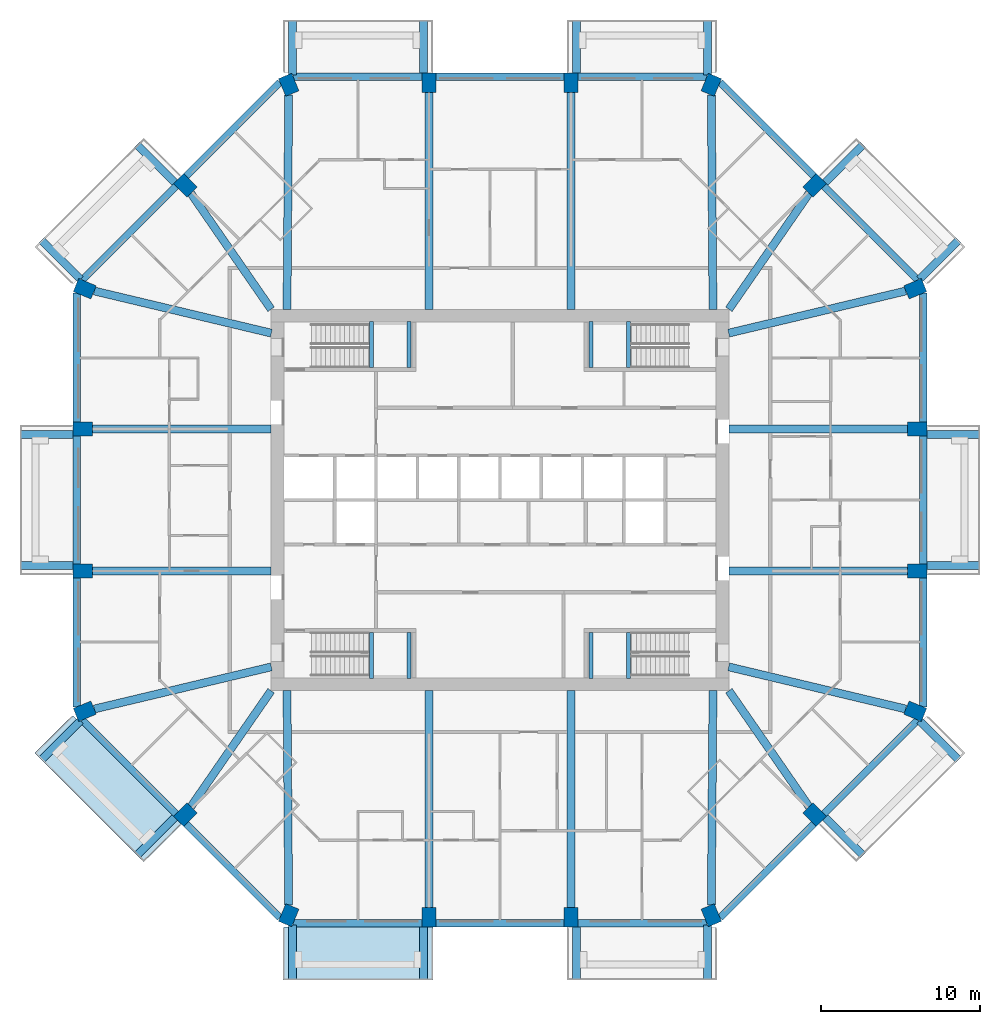
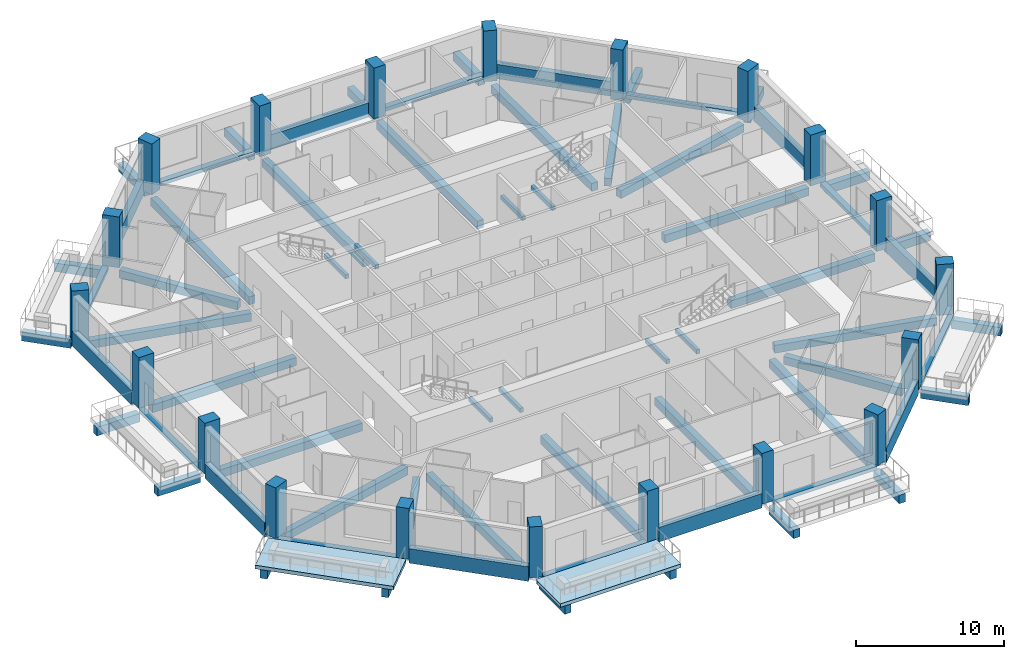
# One storey, part 1 of 13: 68 beams, 20 columns, 2 slabs.
"""IFC4 building model written with IfcOpenShell, lengths in metres."""

from ifc_helpers import new_model, si_unit, direction, frame, origin, origin_2d, place, context, subcontext, project, spatial, polyline, rectangle, outline, extrude, material, layer, layer_set, material_profile, profile_set, type_object, element, save


model = new_model("IFC4")

# Units and contexts
model_context = context("Model", 3, precision=1e-05, world=origin(), true_north=direction((0.0, 1.0)))
body_context = subcontext(model_context, "Body", "Model", "MODEL_VIEW")
ifc_project = project(units=[si_unit("LENGTHUNIT", "METRE"), si_unit("AREAUNIT", "SQUARE_METRE"), si_unit("VOLUMEUNIT", "CUBIC_METRE"), si_unit("PLANEANGLEUNIT", "RADIAN"), si_unit("MASSUNIT", "GRAM", prefix="KILO")], contexts=[model_context])

# Site, building, storey
site_placement = place(None, origin())
site = spatial("IfcSite", under=ifc_project, at=site_placement, CompositionType="ELEMENT")
building_placement = place(site_placement, origin())
building = spatial("IfcBuilding", under=site, at=building_placement, Name="Msitu Wima Residences", CompositionType="ELEMENT")
storey_placement = place(building_placement, frame((0.0, 0.0, 144.300048828125)))
storey = spatial("IfcBuildingStorey", under=building, at=storey_placement, Name="L33", CompositionType="ELEMENT", Elevation=144.300048828125)

# Columns
ifc_material_1 = material(Name="Concrete C70/85", Category="concrete")
ifc_material_profile_1 = material_profile(ifc_material_1, rectangle(XDim=0.89990234375, YDim=1.199951171875, at=origin_2d()), Name="RC 900x1200")
ifc_profile_set_1 = profile_set([ifc_material_profile_1], Name="Concrete C70/85")
column_type = type_object("IfcColumnType", Name="Column RC 900x1200 Concrete C70/85", PredefinedType="COLUMN", material=ifc_profile_set_1)
for number, where, z_axis, x_axis, name in (
    (1, (26.12353515625, -13.291259765625, 0.0), (0.0, 0.0, 1.0), (0.382683496864, 0.923879505795, 0.0), "Column L33 C-E0"),
    (2, (26.25, -4.46875, 0.0), (0.0, 0.0, 1.0), (0.0, 1.0, 0.0), "Column L33 C-E1"),
    (3, (26.25, 4.46875, 0.0), (0.0, 0.0, 1.0), (0.0, 1.0, 0.0), "Column L33 C-E2"),
    (4, (26.12353515625, 13.291259765625, 0.0), (0.0, 0.0, 1.0), (-0.382683496864, 0.923879505795, 0.0), "Column L33 C-NE0"),
    (5, (19.796875, 19.796875, 0.0), (0.0, 0.0, 1.0), (-0.707106781187, 0.707106781187, 0.0), "Column L33 C-NE1"),
    (6, (13.291259765625, 26.12353515625, 0.0), (0.0, 0.0, 1.0), (-0.923879505795, 0.382683496864, 0.0), "Column L33 C-N0"),
    (7, (4.46875, 26.25, 0.0), (0.0, 0.0, 1.0), (-1.0, 0.0, 0.0), "Column L33 C-N1"),
    (8, (-4.46875, 26.25, 0.0), (0.0, 0.0, 1.0), (-1.0, 0.0, 0.0), "Column L33 C-N2"),
    (9, (-13.291259765625, 26.12353515625, 0.0), (0.0, 0.0, 1.0), (-0.923879505795, -0.382683496864, 0.0), "Column L33 C-NW0"),
    (10, (-19.796875, 19.796875, 0.0), (0.0, 0.0, 1.0), (-0.707106781187, -0.707106781187, 0.0), "Column L33 C-NW1"),
    (11, (-26.12353515625, 13.291259765625, 0.0), (0.0, 0.0, 1.0), (-0.382683496864, -0.923879505795, 0.0), "Column L33 C-W0"),
    (12, (-26.25, 4.46875, 0.0), (0.0, 0.0, 1.0), (0.0, -1.0, 0.0), "Column L33 C-W1"),
    (13, (-26.25, -4.46875, 0.0), (0.0, 0.0, 1.0), (0.0, -1.0, 0.0), "Column L33 C-W2"),
    (14, (-26.12353515625, -13.291259765625, 0.0), (0.0, 0.0, 1.0), (0.382683496864, -0.923879505795, 0.0), "Column L33 C-SW0"),
    (15, (-19.796875, -19.796875, 0.0), (0.0, 0.0, 1.0), (0.707106781187, -0.707106781187, 0.0), "Column L33 C-SW1"),
    (16, (-13.291259765625, -26.12353515625, 0.0), (0.0, 0.0, 1.0), (0.923879505795, -0.382683496864, 0.0), "Column L33 C-S0"),
    (17, (-4.46875, -26.25, 0.0), (0.0, 0.0, 1.0), (1.0, 0.0, 0.0), "Column L33 C-S1"),
    (18, (4.46875, -26.25, 0.0), (0.0, 0.0, 1.0), (1.0, 0.0, 0.0), "Column L33 C-S2"),
    (19, (13.291259765625, -26.12353515625, 0.0), (0.0, 0.0, 1.0), (0.923879505795, 0.382683496864, 0.0), "Column L33 C-SE0"),
    (20, (19.796875, -19.796875, 0.0), (0.0, 0.0, 1.0), (0.707106781187, 0.707106781187, 0.0), "Column L33 C-SE1"),
):
    element("IfcColumn", number, at=place(storey_placement, frame(where, z_axis=z_axis, x_axis=x_axis)), inside=storey, type_object=column_type, Name=name, PredefinedType="COLUMN", context=body_context, shape_type="SweptSolid", body=[
        extrude(rectangle(XDim=0.89990234375, YDim=1.199951171875, at=origin_2d()), origin(), (0.0, 0.0, 1.0), 4.199951171875),
    ])

# Beams
ifc_material_2 = material(Name="Concrete C50/60", Category="concrete")
ifc_material_profile_2 = material_profile(ifc_material_2, rectangle(XDim=0.5, YDim=0.64990234375, at=origin_2d()), Name="RC 500x650")
ifc_profile_set_2 = profile_set([ifc_material_profile_2], Name="Concrete C50/60")
beam_type_1 = type_object("IfcBeamType", Name="Beam RC 500x650 Concrete C50/60", PredefinedType="BEAM", material=ifc_profile_set_2)
beam_1_placement = place(storey_placement, frame((25.5322265625, -13.150634765625, -0.574951171875), z_axis=(-0.972805528659, 0.231623408598, 0.0), x_axis=(-0.231623408598, -0.972805528659, 0.0)))
element("IfcBeam", 21, at=beam_1_placement, inside=storey, type_object=beam_type_1, Name="Beam L33 C-E0", PredefinedType="BEAM", context=body_context, shape_type="SweptSolid", body=[
    extrude(rectangle(XDim=0.5, YDim=0.64990234375, at=origin_2d()), origin(), (0.0, 0.0, 1.0), 11.455322265625),
])
for number, where, z_axis, x_axis, name in (
    (22, (25.64990234375, -4.46875, -0.574951171875), (-1.0, 0.0, 0.0), (0.0, -1.0, 0.0), "Beam L33 C-E1"),
    (23, (25.64990234375, 4.46875, -0.574951171875), (-1.0, 0.0, 0.0), (0.0, -1.0, 0.0), "Beam L33 C-E2"),
):
    element("IfcBeam", number, at=place(storey_placement, frame(where, z_axis=z_axis, x_axis=x_axis)), inside=storey, type_object=beam_type_1, Name=name, PredefinedType="BEAM", context=body_context, shape_type="SweptSolid", body=[
        extrude(rectangle(XDim=0.5, YDim=0.64990234375, at=origin_2d()), origin(), (0.0, 0.0, 1.0), 11.25),
    ])
beam_2_placement = place(storey_placement, frame((25.5322265625, 13.150634765625, -0.574951171875), z_axis=(-0.972805528659, -0.231623408598, 0.0), x_axis=(0.231623408598, -0.972805528659, 0.0)))
element("IfcBeam", 24, at=beam_2_placement, inside=storey, type_object=beam_type_1, Name="Beam L33 C-NE0", PredefinedType="BEAM", context=body_context, shape_type="SweptSolid", body=[
    extrude(rectangle(XDim=0.5, YDim=0.64990234375, at=origin_2d()), origin(), (0.0, 0.0, 1.0), 11.455322265625),
])
beam_3_placement = place(storey_placement, frame((19.44970703125, 19.29541015625, -0.574951171875), z_axis=(-0.569144158363, -0.822237755763, 0.0), x_axis=(0.822237755763, -0.569144158363, 0.0)))
element("IfcBeam", 25, at=beam_3_placement, inside=storey, type_object=beam_type_1, Name="Beam L33 C-NE1", PredefinedType="BEAM", context=body_context, shape_type="SweptSolid", body=[
    extrude(rectangle(XDim=0.5, YDim=0.64990234375, at=origin_2d()), origin(), (0.0, 0.0, 1.0), 8.87255859375),
])
beam_4_placement = place(storey_placement, frame((13.29638671875, 25.471923828125, -0.574951171875), z_axis=(0.007694865426, -0.999970394085, 0.0), x_axis=(0.999970394085, 0.007694865426, 0.0)))
element("IfcBeam", 26, at=beam_4_placement, inside=storey, type_object=beam_type_1, Name="Beam L33 C-N0", PredefinedType="BEAM", context=body_context, shape_type="SweptSolid", body=[
    extrude(rectangle(XDim=0.5, YDim=0.64990234375, at=origin_2d()), origin(), (0.0, 0.0, 1.0), 13.484375),
])
for number, where, z_axis, x_axis, name in (
    (27, (4.46875, 25.64990234375, -0.574951171875), (0.0, -1.0, 0.0), (1.0, 0.0, 0.0), "Beam L33 C-N1"),
    (28, (-4.46875, 25.64990234375, -0.574951171875), (0.0, -1.0, 0.0), (1.0, 0.0, 0.0), "Beam L33 C-N2"),
):
    element("IfcBeam", number, at=place(storey_placement, frame(where, z_axis=z_axis, x_axis=x_axis)), inside=storey, type_object=beam_type_1, Name=name, PredefinedType="BEAM", context=body_context, shape_type="SweptSolid", body=[
        extrude(rectangle(XDim=0.5, YDim=0.64990234375, at=origin_2d()), origin(), (0.0, 0.0, 1.0), 13.64990234375),
    ])
beam_5_placement = place(storey_placement, frame((-13.29638671875, 25.471923828125, -0.574951171875), z_axis=(-0.007694865426, -0.999970394085, 0.0), x_axis=(0.999970394085, -0.007694865426, 0.0)))
element("IfcBeam", 29, at=beam_5_placement, inside=storey, type_object=beam_type_1, Name="Beam L33 C-NW0", PredefinedType="BEAM", context=body_context, shape_type="SweptSolid", body=[
    extrude(rectangle(XDim=0.5, YDim=0.64990234375, at=origin_2d()), origin(), (0.0, 0.0, 1.0), 13.484375),
])
beam_6_placement = place(storey_placement, frame((-19.44970703125, 19.29541015625, -0.574951171875), z_axis=(0.569144158363, -0.822237755763, 0.0), x_axis=(0.822237755763, 0.569144158363, 0.0)))
element("IfcBeam", 30, at=beam_6_placement, inside=storey, type_object=beam_type_1, Name="Beam L33 C-NW1", PredefinedType="BEAM", context=body_context, shape_type="SweptSolid", body=[
    extrude(rectangle(XDim=0.5, YDim=0.64990234375, at=origin_2d()), origin(), (0.0, 0.0, 1.0), 8.87255859375),
])
beam_7_placement = place(storey_placement, frame((-25.5322265625, 13.150634765625, -0.574951171875), z_axis=(0.972805528659, -0.231623408598, 0.0), x_axis=(0.231623408598, 0.972805528659, 0.0)))
element("IfcBeam", 31, at=beam_7_placement, inside=storey, type_object=beam_type_1, Name="Beam L33 C-W0", PredefinedType="BEAM", context=body_context, shape_type="SweptSolid", body=[
    extrude(rectangle(XDim=0.5, YDim=0.64990234375, at=origin_2d()), origin(), (0.0, 0.0, 1.0), 11.455322265625),
])
for number, where, z_axis, x_axis, name in (
    (32, (-25.64990234375, 4.46875, -0.574951171875), (1.0, 0.0, 0.0), (0.0, 1.0, 0.0), "Beam L33 C-W1"),
    (33, (-25.64990234375, -4.46875, -0.574951171875), (1.0, 0.0, 0.0), (0.0, 1.0, 0.0), "Beam L33 C-W2"),
):
    element("IfcBeam", number, at=place(storey_placement, frame(where, z_axis=z_axis, x_axis=x_axis)), inside=storey, type_object=beam_type_1, Name=name, PredefinedType="BEAM", context=body_context, shape_type="SweptSolid", body=[
        extrude(rectangle(XDim=0.5, YDim=0.64990234375, at=origin_2d()), origin(), (0.0, 0.0, 1.0), 11.25),
    ])
beam_8_placement = place(storey_placement, frame((-25.5322265625, -13.150634765625, -0.574951171875), z_axis=(0.972805528659, 0.231623408598, 0.0), x_axis=(-0.231623408598, 0.972805528659, 0.0)))
element("IfcBeam", 34, at=beam_8_placement, inside=storey, type_object=beam_type_1, Name="Beam L33 C-SW0", PredefinedType="BEAM", context=body_context, shape_type="SweptSolid", body=[
    extrude(rectangle(XDim=0.5, YDim=0.64990234375, at=origin_2d()), origin(), (0.0, 0.0, 1.0), 11.455322265625),
])
beam_9_placement = place(storey_placement, frame((-19.44970703125, -19.29541015625, -0.574951171875), z_axis=(0.569144158363, 0.822237755763, 0.0), x_axis=(-0.822237755763, 0.569144158363, 0.0)))
element("IfcBeam", 35, at=beam_9_placement, inside=storey, type_object=beam_type_1, Name="Beam L33 C-SW1", PredefinedType="BEAM", context=body_context, shape_type="SweptSolid", body=[
    extrude(rectangle(XDim=0.5, YDim=0.64990234375, at=origin_2d()), origin(), (0.0, 0.0, 1.0), 8.87255859375),
])
beam_10_placement = place(storey_placement, frame((-13.29638671875, -25.471923828125, -0.574951171875), z_axis=(-0.007694865426, 0.999970394085, 0.0), x_axis=(-0.999970394085, -0.007694865426, 0.0)))
element("IfcBeam", 36, at=beam_10_placement, inside=storey, type_object=beam_type_1, Name="Beam L33 C-S0", PredefinedType="BEAM", context=body_context, shape_type="SweptSolid", body=[
    extrude(rectangle(XDim=0.5, YDim=0.64990234375, at=origin_2d()), origin(), (0.0, 0.0, 1.0), 13.484375),
])
for number, where, z_axis, x_axis, name in (
    (37, (-4.46875, -25.64990234375, -0.574951171875), (0.0, 1.0, 0.0), (-1.0, 0.0, 0.0), "Beam L33 C-S1"),
    (38, (4.46875, -25.64990234375, -0.574951171875), (0.0, 1.0, 0.0), (-1.0, 0.0, 0.0), "Beam L33 C-S2"),
):
    element("IfcBeam", number, at=place(storey_placement, frame(where, z_axis=z_axis, x_axis=x_axis)), inside=storey, type_object=beam_type_1, Name=name, PredefinedType="BEAM", context=body_context, shape_type="SweptSolid", body=[
        extrude(rectangle(XDim=0.5, YDim=0.64990234375, at=origin_2d()), origin(), (0.0, 0.0, 1.0), 13.64990234375),
    ])
beam_11_placement = place(storey_placement, frame((13.29638671875, -25.471923828125, -0.574951171875), z_axis=(0.007694865426, 0.999970394085, 0.0), x_axis=(-0.999970394085, 0.007694865426, 0.0)))
element("IfcBeam", 39, at=beam_11_placement, inside=storey, type_object=beam_type_1, Name="Beam L33 C-SE0", PredefinedType="BEAM", context=body_context, shape_type="SweptSolid", body=[
    extrude(rectangle(XDim=0.5, YDim=0.64990234375, at=origin_2d()), origin(), (0.0, 0.0, 1.0), 13.484375),
])
beam_12_placement = place(storey_placement, frame((19.44970703125, -19.29541015625, -0.574951171875), z_axis=(-0.569144158363, 0.822237755763, 0.0), x_axis=(-0.822237755763, -0.569144158363, 0.0)))
element("IfcBeam", 40, at=beam_12_placement, inside=storey, type_object=beam_type_1, Name="Beam L33 C-SE1", PredefinedType="BEAM", context=body_context, shape_type="SweptSolid", body=[
    extrude(rectangle(XDim=0.5, YDim=0.64990234375, at=origin_2d()), origin(), (0.0, 0.0, 1.0), 8.87255859375),
])
ifc_material_profile_3 = material_profile(ifc_material_2, rectangle(XDim=0.5, YDim=0.699951171875, at=origin_2d()), Name="RC 500x700")
ifc_profile_set_3 = profile_set([ifc_material_profile_3], Name="Concrete C50/60")
beam_type_2 = type_object("IfcBeamType", Name="Cantilever beam RC 500x700 Concrete C50/60", PredefinedType="BEAM", material=ifc_profile_set_3)
for number, where, z_axis, x_axis, name in (
    (41, (26.85009765625, -4.11865234375, -0.650146484375), (1.0, 0.0, 0.0), (0.0, 1.0, 0.0), "Cantilever beam L33 BA-E1 A"),
    (42, (26.85009765625, 4.11865234375, -0.650146484375), (1.0, 0.0, 0.0), (0.0, 1.0, 0.0), "Cantilever beam L33 BA-E1 B"),
):
    element("IfcBeam", number, at=place(storey_placement, frame(where, z_axis=z_axis, x_axis=x_axis)), inside=storey, type_object=beam_type_2, Name=name, PredefinedType="BEAM", context=body_context, shape_type="SweptSolid", body=[
        extrude(rectangle(XDim=0.5, YDim=0.699951171875, at=origin_2d()), origin(), (0.0, 0.0, 1.0), 3.349853515625),
    ])
beam_13_placement = place(storey_placement, frame((26.386474609375, 13.887451171875, -0.650146484375), z_axis=(0.707141968506, 0.707071592116, 0.0), x_axis=(-0.707071592116, 0.707141968506, 0.0)))
element("IfcBeam", 43, at=beam_13_placement, inside=storey, type_object=beam_type_2, Name="Cantilever beam L33 BA-NE0 A", PredefinedType="BEAM", context=body_context, shape_type="SweptSolid", body=[
    extrude(rectangle(XDim=0.5, YDim=0.699951171875, at=origin_2d()), origin(), (0.0, 0.0, 1.0), 3.468994140625),
])
beam_14_placement = place(storey_placement, frame((20.46875, 19.9736328125, -0.650146484375), z_axis=(0.707070340836, 0.707143219659, 0.0), x_axis=(-0.707143219659, 0.707070340836, 0.0)))
element("IfcBeam", 44, at=beam_14_placement, inside=storey, type_object=beam_type_2, Name="Cantilever beam L33 BA-NE0 B", PredefinedType="BEAM", context=body_context, shape_type="SweptSolid", body=[
    extrude(rectangle(XDim=0.5, YDim=0.699951171875, at=origin_2d()), origin(), (0.0, 0.0, 1.0), 3.349853515625),
])
beam_15_placement = place(storey_placement, frame((13.055908203125, 26.73095703125, -0.650146484375), z_axis=(0.0, 1.0, 0.0), x_axis=(-1.0, 0.0, 0.0)))
element("IfcBeam", 45, at=beam_15_placement, inside=storey, type_object=beam_type_2, Name="Cantilever beam L33 BA-N0 A", PredefinedType="BEAM", context=body_context, shape_type="SweptSolid", body=[
    extrude(rectangle(XDim=0.5, YDim=0.699951171875, at=origin_2d()), origin(), (0.0, 0.0, 1.0), 3.468994140625),
])
for number, where, z_axis, x_axis, name in (
    (46, (4.818603515625, 26.85009765625, -0.650146484375), (0.0, 1.0, 0.0), (-1.0, 0.0, 0.0), "Cantilever beam L33 BA-N0 B"),
    (47, (-4.818603515625, 26.85009765625, -0.650146484375), (0.0, 1.0, 0.0), (-1.0, 0.0, 0.0), "Cantilever beam L33 BA-N2 A"),
):
    element("IfcBeam", number, at=place(storey_placement, frame(where, z_axis=z_axis, x_axis=x_axis)), inside=storey, type_object=beam_type_2, Name=name, PredefinedType="BEAM", context=body_context, shape_type="SweptSolid", body=[
        extrude(rectangle(XDim=0.5, YDim=0.699951171875, at=origin_2d()), origin(), (0.0, 0.0, 1.0), 3.349853515625),
    ])
beam_16_placement = place(storey_placement, frame((-13.055908203125, 26.73095703125, -0.650146484375), z_axis=(0.0, 1.0, 0.0), x_axis=(-1.0, 0.0, 0.0)))
element("IfcBeam", 48, at=beam_16_placement, inside=storey, type_object=beam_type_2, Name="Cantilever beam L33 BA-N2 B", PredefinedType="BEAM", context=body_context, shape_type="SweptSolid", body=[
    extrude(rectangle(XDim=0.5, YDim=0.699951171875, at=origin_2d()), origin(), (0.0, 0.0, 1.0), 3.468994140625),
])
beam_17_placement = place(storey_placement, frame((-20.46875, 19.9736328125, -0.650146484375), z_axis=(-0.707070340836, 0.707143219659, 0.0), x_axis=(-0.707143219659, -0.707070340836, 0.0)))
element("IfcBeam", 49, at=beam_17_placement, inside=storey, type_object=beam_type_2, Name="Cantilever beam L33 BA-NW1 A", PredefinedType="BEAM", context=body_context, shape_type="SweptSolid", body=[
    extrude(rectangle(XDim=0.5, YDim=0.699951171875, at=origin_2d()), origin(), (0.0, 0.0, 1.0), 3.349853515625),
])
beam_18_placement = place(storey_placement, frame((-26.386474609375, 13.887451171875, -0.650146484375), z_axis=(-0.707141968506, 0.707071592116, 0.0), x_axis=(-0.707071592116, -0.707141968506, 0.0)))
element("IfcBeam", 50, at=beam_18_placement, inside=storey, type_object=beam_type_2, Name="Cantilever beam L33 BA-NW1 B", PredefinedType="BEAM", context=body_context, shape_type="SweptSolid", body=[
    extrude(rectangle(XDim=0.5, YDim=0.699951171875, at=origin_2d()), origin(), (0.0, 0.0, 1.0), 3.468994140625),
])
for number, where, z_axis, x_axis, name in (
    (51, (-26.85009765625, 4.11865234375, -0.650146484375), (-1.0, 0.0, 0.0), (0.0, -1.0, 0.0), "Cantilever beam L33 BA-W1 A"),
    (52, (-26.85009765625, -4.11865234375, -0.650146484375), (-1.0, 0.0, 0.0), (0.0, -1.0, 0.0), "Cantilever beam L33 BA-W1 B"),
):
    element("IfcBeam", number, at=place(storey_placement, frame(where, z_axis=z_axis, x_axis=x_axis)), inside=storey, type_object=beam_type_2, Name=name, PredefinedType="BEAM", context=body_context, shape_type="SweptSolid", body=[
        extrude(rectangle(XDim=0.5, YDim=0.699951171875, at=origin_2d()), origin(), (0.0, 0.0, 1.0), 3.349853515625),
    ])
beam_19_placement = place(storey_placement, frame((-26.386474609375, -13.887451171875, -0.650146484375), z_axis=(-0.707141968506, -0.707071592116, 0.0), x_axis=(0.707071592116, -0.707141968506, 0.0)))
element("IfcBeam", 53, at=beam_19_placement, inside=storey, type_object=beam_type_2, Name="Cantilever beam L33 BA-SW0 A", PredefinedType="BEAM", context=body_context, shape_type="SweptSolid", body=[
    extrude(rectangle(XDim=0.5, YDim=0.699951171875, at=origin_2d()), origin(), (0.0, 0.0, 1.0), 3.468994140625),
])
beam_20_placement = place(storey_placement, frame((-20.46875, -19.9736328125, -0.650146484375), z_axis=(-0.707070340836, -0.707143219659, 0.0), x_axis=(0.707143219659, -0.707070340836, 0.0)))
element("IfcBeam", 54, at=beam_20_placement, inside=storey, type_object=beam_type_2, Name="Cantilever beam L33 BA-SW0 B", PredefinedType="BEAM", context=body_context, shape_type="SweptSolid", body=[
    extrude(rectangle(XDim=0.5, YDim=0.699951171875, at=origin_2d()), origin(), (0.0, 0.0, 1.0), 3.349853515625),
])
beam_21_placement = place(storey_placement, frame((-13.055908203125, -26.73095703125, -0.650146484375), z_axis=(0.0, -1.0, 0.0), x_axis=(1.0, 0.0, 0.0)))
element("IfcBeam", 55, at=beam_21_placement, inside=storey, type_object=beam_type_2, Name="Cantilever beam L33 BA-S0 A", PredefinedType="BEAM", context=body_context, shape_type="SweptSolid", body=[
    extrude(rectangle(XDim=0.5, YDim=0.699951171875, at=origin_2d()), origin(), (0.0, 0.0, 1.0), 3.468994140625),
])
for number, where, z_axis, x_axis, name in (
    (56, (-4.818603515625, -26.85009765625, -0.650146484375), (0.0, -1.0, 0.0), (1.0, 0.0, 0.0), "Cantilever beam L33 BA-S0 B"),
    (57, (4.818603515625, -26.85009765625, -0.650146484375), (0.0, -1.0, 0.0), (1.0, 0.0, 0.0), "Cantilever beam L33 BA-S2 A"),
):
    element("IfcBeam", number, at=place(storey_placement, frame(where, z_axis=z_axis, x_axis=x_axis)), inside=storey, type_object=beam_type_2, Name=name, PredefinedType="BEAM", context=body_context, shape_type="SweptSolid", body=[
        extrude(rectangle(XDim=0.5, YDim=0.699951171875, at=origin_2d()), origin(), (0.0, 0.0, 1.0), 3.349853515625),
    ])
beam_22_placement = place(storey_placement, frame((13.055908203125, -26.73095703125, -0.650146484375), z_axis=(0.0, -1.0, 0.0), x_axis=(1.0, 0.0, 0.0)))
element("IfcBeam", 58, at=beam_22_placement, inside=storey, type_object=beam_type_2, Name="Cantilever beam L33 BA-S2 B", PredefinedType="BEAM", context=body_context, shape_type="SweptSolid", body=[
    extrude(rectangle(XDim=0.5, YDim=0.699951171875, at=origin_2d()), origin(), (0.0, 0.0, 1.0), 3.468994140625),
])
beam_23_placement = place(storey_placement, frame((20.46875, -19.9736328125, -0.650146484375), z_axis=(0.707070340836, -0.707143219659, 0.0), x_axis=(0.707143219659, 0.707070340836, 0.0)))
element("IfcBeam", 59, at=beam_23_placement, inside=storey, type_object=beam_type_2, Name="Cantilever beam L33 BA-SE1 A", PredefinedType="BEAM", context=body_context, shape_type="SweptSolid", body=[
    extrude(rectangle(XDim=0.5, YDim=0.699951171875, at=origin_2d()), origin(), (0.0, 0.0, 1.0), 3.349853515625),
])
beam_24_placement = place(storey_placement, frame((26.386474609375, -13.887451171875, -0.650146484375), z_axis=(0.707141968506, -0.707071592116, 0.0), x_axis=(0.707071592116, 0.707141968506, 0.0)))
element("IfcBeam", 60, at=beam_24_placement, inside=storey, type_object=beam_type_2, Name="Cantilever beam L33 BA-SE1 B", PredefinedType="BEAM", context=body_context, shape_type="SweptSolid", body=[
    extrude(rectangle(XDim=0.5, YDim=0.699951171875, at=origin_2d()), origin(), (0.0, 0.0, 1.0), 3.468994140625),
])
ifc_material_profile_4 = material_profile(ifc_material_2, rectangle(XDim=0.449951171875, YDim=0.300048828125, at=origin_2d()), Name="RC 450x300")
ifc_profile_set_4 = profile_set([ifc_material_profile_4], Name="Concrete C50/60")
beam_type_3 = type_object("IfcBeamType", Name="Edge beam RC 450x300 Concrete C50/60", PredefinedType="SPANDREL", material=ifc_profile_set_4)
beam_25_placement = place(storey_placement, frame((26.625, -4.0185546875, -0.150146484375), z_axis=(0.0, 1.0, 0.0), x_axis=(-1.0, 0.0, 0.0)))
element("IfcBeam", 61, at=beam_25_placement, inside=storey, type_object=beam_type_3, Name="Spandrel L33 E1", PredefinedType="SPANDREL", context=body_context, shape_type="SweptSolid", body=[
    extrude(rectangle(XDim=0.449951171875, YDim=0.300048828125, at=origin_2d()), origin(), (0.0, 0.0, 1.0), 8.037109375),
])
beam_26_placement = place(storey_placement, frame((26.2890625, 13.8349609375, -0.150146484375), z_axis=(-0.707106781187, 0.707106781187, 0.0), x_axis=(-0.707106781187, -0.707106781187, 0.0)))
element("IfcBeam", 62, at=beam_26_placement, inside=storey, type_object=beam_type_3, Name="Spandrel L33 NE0", PredefinedType="SPANDREL", context=body_context, shape_type="SweptSolid", body=[
    extrude(rectangle(XDim=0.449951171875, YDim=0.300048828125, at=origin_2d()), origin(), (0.0, 0.0, 1.0), 8.3564453125),
])
for number, where, z_axis, x_axis, name in (
    (63, (13.02392578125, 26.625, -0.150146484375), (-1.0, 0.0, 0.0), (0.0, -1.0, 0.0), "Spandrel L33 N0"),
    (64, (-4.918701171875, 26.625, -0.150146484375), (-1.0, 0.0, 0.0), (0.0, -1.0, 0.0), "Spandrel L33 N2"),
):
    element("IfcBeam", number, at=place(storey_placement, frame(where, z_axis=z_axis, x_axis=x_axis)), inside=storey, type_object=beam_type_3, Name=name, PredefinedType="SPANDREL", context=body_context, shape_type="SweptSolid", body=[
        extrude(rectangle(XDim=0.449951171875, YDim=0.300048828125, at=origin_2d()), origin(), (0.0, 0.0, 1.0), 8.105224609375),
    ])
beam_27_placement = place(storey_placement, frame((-20.380126953125, 19.743896484375, -0.150146484375), z_axis=(-0.707106781187, -0.707106781187, 0.0), x_axis=(0.707106781187, -0.707106781187, 0.0)))
element("IfcBeam", 65, at=beam_27_placement, inside=storey, type_object=beam_type_3, Name="Spandrel L33 NW1", PredefinedType="SPANDREL", context=body_context, shape_type="SweptSolid", body=[
    extrude(rectangle(XDim=0.449951171875, YDim=0.300048828125, at=origin_2d()), origin(), (0.0, 0.0, 1.0), 8.3564453125),
])
beam_28_placement = place(storey_placement, frame((-26.625, 4.0185546875, -0.150146484375), z_axis=(0.0, -1.0, 0.0), x_axis=(1.0, 0.0, 0.0)))
element("IfcBeam", 66, at=beam_28_placement, inside=storey, type_object=beam_type_3, Name="Spandrel L33 W1", PredefinedType="SPANDREL", context=body_context, shape_type="SweptSolid", body=[
    extrude(rectangle(XDim=0.449951171875, YDim=0.300048828125, at=origin_2d()), origin(), (0.0, 0.0, 1.0), 8.037109375),
])
beam_29_placement = place(storey_placement, frame((-26.2890625, -13.8349609375, -0.150146484375), z_axis=(0.707106781187, -0.707106781187, 0.0), x_axis=(0.707106781187, 0.707106781187, 0.0)))
element("IfcBeam", 67, at=beam_29_placement, inside=storey, type_object=beam_type_3, Name="Spandrel L33 SW0", PredefinedType="SPANDREL", context=body_context, shape_type="SweptSolid", body=[
    extrude(rectangle(XDim=0.449951171875, YDim=0.300048828125, at=origin_2d()), origin(), (0.0, 0.0, 1.0), 8.3564453125),
])
for number, where, z_axis, x_axis, name in (
    (68, (-13.02392578125, -26.625, -0.150146484375), (1.0, 0.0, 0.0), (0.0, 1.0, 0.0), "Spandrel L33 S0"),
    (69, (4.918701171875, -26.625, -0.150146484375), (1.0, 0.0, 0.0), (0.0, 1.0, 0.0), "Spandrel L33 S2"),
):
    element("IfcBeam", number, at=place(storey_placement, frame(where, z_axis=z_axis, x_axis=x_axis)), inside=storey, type_object=beam_type_3, Name=name, PredefinedType="SPANDREL", context=body_context, shape_type="SweptSolid", body=[
        extrude(rectangle(XDim=0.449951171875, YDim=0.300048828125, at=origin_2d()), origin(), (0.0, 0.0, 1.0), 8.105224609375),
    ])
beam_30_placement = place(storey_placement, frame((20.380126953125, -19.743896484375, -0.150146484375), z_axis=(0.707106781187, 0.707106781187, 0.0), x_axis=(-0.707106781187, 0.707106781187, 0.0)))
element("IfcBeam", 70, at=beam_30_placement, inside=storey, type_object=beam_type_3, Name="Spandrel L33 SE1", PredefinedType="SPANDREL", context=body_context, shape_type="SweptSolid", body=[
    extrude(rectangle(XDim=0.449951171875, YDim=0.300048828125, at=origin_2d()), origin(), (0.0, 0.0, 1.0), 8.3564453125),
])
ifc_material_3 = material(Name="Concrete C40/50", Category="concrete")
ifc_material_profile_5 = material_profile(ifc_material_3, rectangle(XDim=0.25, YDim=0.35009765625, at=origin_2d()), Name="RC 250x350")
ifc_profile_set_5 = profile_set([ifc_material_profile_5], Name="Concrete C40/50")
beam_type_4 = type_object("IfcBeamType", Name="Landing beam RC 250x350", PredefinedType="BEAM", material=ifc_profile_set_5)
for number, where, z_axis, x_axis, name in (
    (71, (-8.074951171875, 8.324951171875, 1.724853515625), (0.0, 1.0, 0.0), (-1.0, 0.0, 0.0), "Stair 1 landing beam"),
    (72, (-5.72509765625, 8.324951171875, 1.724853515625), (0.0, 1.0, 0.0), (-1.0, 0.0, 0.0), "Stair 1 landing beam"),
    (73, (-8.074951171875, -11.22509765625, 1.724853515625), (0.0, 1.0, 0.0), (-1.0, 0.0, 0.0), "Stair 2 landing beam"),
    (74, (-5.72509765625, -11.22509765625, 1.724853515625), (0.0, 1.0, 0.0), (-1.0, 0.0, 0.0), "Stair 2 landing beam"),
    (75, (8.074951171875, 8.324951171875, 1.724853515625), (0.0, 1.0, 0.0), (-1.0, 0.0, 0.0), "Stair 3 landing beam"),
    (76, (5.72509765625, 8.324951171875, 1.724853515625), (0.0, 1.0, 0.0), (-1.0, 0.0, 0.0), "Stair 3 landing beam"),
    (77, (8.074951171875, -11.22509765625, 1.724853515625), (0.0, 1.0, 0.0), (-1.0, 0.0, 0.0), "Stair 4 landing beam"),
    (78, (5.72509765625, -11.22509765625, 1.724853515625), (0.0, 1.0, 0.0), (-1.0, 0.0, 0.0), "Stair 4 landing beam"),
):
    element("IfcBeam", number, at=place(storey_placement, frame(where, z_axis=z_axis, x_axis=x_axis)), inside=storey, type_object=beam_type_4, Name=name, PredefinedType="BEAM", context=body_context, shape_type="SweptSolid", body=[
        extrude(rectangle(XDim=0.25, YDim=0.35009765625, at=origin_2d()), origin(), (0.0, 0.0, 1.0), 2.900146484375),
    ])
ifc_material_profile_6 = material_profile(ifc_material_2, rectangle(XDim=0.449951171875, YDim=1.199951171875, at=origin_2d()), Name="RC 450x1200")
ifc_profile_set_6 = profile_set([ifc_material_profile_6], Name="Concrete C50/60")
beam_type_5 = type_object("IfcBeamType", Name="Spandrel RC 450x1200 Concrete C50/60", PredefinedType="SPANDREL", material=ifc_profile_set_6)
for number, where, z_axis, x_axis, name in (
    (79, (26.625, -13.02392578125, 0.300048828125), (0.0, 1.0, 0.0), (-1.0, 0.0, 0.0), "Spandrel L33 E0"),
    (80, (26.625, 4.918701171875, 0.300048828125), (0.0, 1.0, 0.0), (-1.0, 0.0, 0.0), "Spandrel L33 E2"),
):
    element("IfcBeam", number, at=place(storey_placement, frame(where, z_axis=z_axis, x_axis=x_axis)), inside=storey, type_object=beam_type_5, Name=name, PredefinedType="SPANDREL", context=body_context, shape_type="SweptSolid", body=[
        extrude(rectangle(XDim=0.449951171875, YDim=1.199951171875, at=origin_2d()), origin(), (0.0, 0.0, 1.0), 8.105224609375),
    ])
beam_31_placement = place(storey_placement, frame((19.743896484375, 20.380126953125, 0.300048828125), z_axis=(-0.707106781187, 0.707106781187, 0.0), x_axis=(-0.707106781187, -0.707106781187, 0.0)))
element("IfcBeam", 81, at=beam_31_placement, inside=storey, type_object=beam_type_5, Name="Spandrel L33 NE1", PredefinedType="SPANDREL", context=body_context, shape_type="SweptSolid", body=[
    extrude(rectangle(XDim=0.449951171875, YDim=1.199951171875, at=origin_2d()), origin(), (0.0, 0.0, 1.0), 8.3564453125),
])
beam_32_placement = place(storey_placement, frame((4.0185546875, 26.625, 0.300048828125), z_axis=(-1.0, 0.0, 0.0), x_axis=(0.0, -1.0, 0.0)))
element("IfcBeam", 82, at=beam_32_placement, inside=storey, type_object=beam_type_5, Name="Spandrel L33 N1", PredefinedType="SPANDREL", context=body_context, shape_type="SweptSolid", body=[
    extrude(rectangle(XDim=0.449951171875, YDim=1.199951171875, at=origin_2d()), origin(), (0.0, 0.0, 1.0), 8.037109375),
])
beam_33_placement = place(storey_placement, frame((-13.8349609375, 26.2890625, 0.300048828125), z_axis=(-0.707106781187, -0.707106781187, 0.0), x_axis=(0.707106781187, -0.707106781187, 0.0)))
element("IfcBeam", 83, at=beam_33_placement, inside=storey, type_object=beam_type_5, Name="Spandrel L33 NW0", PredefinedType="SPANDREL", context=body_context, shape_type="SweptSolid", body=[
    extrude(rectangle(XDim=0.449951171875, YDim=1.199951171875, at=origin_2d()), origin(), (0.0, 0.0, 1.0), 8.3564453125),
])
for number, where, z_axis, x_axis, name in (
    (84, (-26.625, 13.02392578125, 0.300048828125), (0.0, -1.0, 0.0), (1.0, 0.0, 0.0), "Spandrel L33 W0"),
    (85, (-26.625, -4.918701171875, 0.300048828125), (0.0, -1.0, 0.0), (1.0, 0.0, 0.0), "Spandrel L33 W2"),
):
    element("IfcBeam", number, at=place(storey_placement, frame(where, z_axis=z_axis, x_axis=x_axis)), inside=storey, type_object=beam_type_5, Name=name, PredefinedType="SPANDREL", context=body_context, shape_type="SweptSolid", body=[
        extrude(rectangle(XDim=0.449951171875, YDim=1.199951171875, at=origin_2d()), origin(), (0.0, 0.0, 1.0), 8.105224609375),
    ])
beam_34_placement = place(storey_placement, frame((-19.743896484375, -20.380126953125, 0.300048828125), z_axis=(0.707106781187, -0.707106781187, 0.0), x_axis=(0.707106781187, 0.707106781187, 0.0)))
element("IfcBeam", 86, at=beam_34_placement, inside=storey, type_object=beam_type_5, Name="Spandrel L33 SW1", PredefinedType="SPANDREL", context=body_context, shape_type="SweptSolid", body=[
    extrude(rectangle(XDim=0.449951171875, YDim=1.199951171875, at=origin_2d()), origin(), (0.0, 0.0, 1.0), 8.3564453125),
])
beam_35_placement = place(storey_placement, frame((-4.0185546875, -26.625, 0.300048828125), z_axis=(1.0, 0.0, 0.0), x_axis=(0.0, 1.0, 0.0)))
element("IfcBeam", 87, at=beam_35_placement, inside=storey, type_object=beam_type_5, Name="Spandrel L33 S1", PredefinedType="SPANDREL", context=body_context, shape_type="SweptSolid", body=[
    extrude(rectangle(XDim=0.449951171875, YDim=1.199951171875, at=origin_2d()), origin(), (0.0, 0.0, 1.0), 8.037109375),
])
beam_36_placement = place(storey_placement, frame((13.8349609375, -26.2890625, 0.300048828125), z_axis=(0.707106781187, 0.707106781187, 0.0), x_axis=(-0.707106781187, 0.707106781187, 0.0)))
element("IfcBeam", 88, at=beam_36_placement, inside=storey, type_object=beam_type_5, Name="Spandrel L33 SE0", PredefinedType="SPANDREL", context=body_context, shape_type="SweptSolid", body=[
    extrude(rectangle(XDim=0.449951171875, YDim=1.199951171875, at=origin_2d()), origin(), (0.0, 0.0, 1.0), 8.3564453125),
])

# Slabs
ifc_layer = layer(ifc_material_3, 0.300048828125)
ifc_layer_set = layer_set([ifc_layer], Name="Concrete C40/50")
slab_type = type_object("IfcSlabType", Name="Balcony slab BS300", PredefinedType="FLOOR", material=ifc_layer_set)
slab_1_placement = place(storey_placement, frame((0.0, 0.0, -0.300048828125)))
element("IfcSlab", 89, at=slab_1_placement, inside=storey, type_object=slab_type, Name="Balcony SW0 L33", PredefinedType="FLOOR", context=body_context, shape_type="SweptSolid", body=[
    extrude(outline(polyline([(-22.4130859375, -22.766845703125), (-29.263671875, -15.916015625), (-27.003662109375, -13.656005859375), (-26.85009765625, -13.59228515625), (-20.04443359375, -20.39794921875), (-22.4130859375, -22.766845703125)])), origin(), (0.0, 0.0, 1.0), 0.300048828125),
])
slab_2_placement = place(storey_placement, frame((0.0, 0.0, -0.300048828125)))
element("IfcSlab", 90, at=slab_2_placement, inside=storey, type_object=slab_type, Name="Balcony S0 L33", PredefinedType="FLOOR", context=body_context, shape_type="SweptSolid", body=[
    extrude(outline(polyline([(-13.105224609375, -26.85009765625), (-13.105224609375, -26.85009765625), (-4.918701171875, -26.85009765625), (-4.918701171875, -26.85009765625), (-4.21875, -26.85009765625), (-4.21875, -30.199951171875), (-13.656005859375, -30.199951171875), (-13.656005859375, -27.003662109375), (-13.59228515625, -26.85009765625), (-13.105224609375, -26.85009765625), (-13.105224609375, -26.85009765625)])), origin(), (0.0, 0.0, 1.0), 0.300048828125),
])

save(model, "model.ifc")
